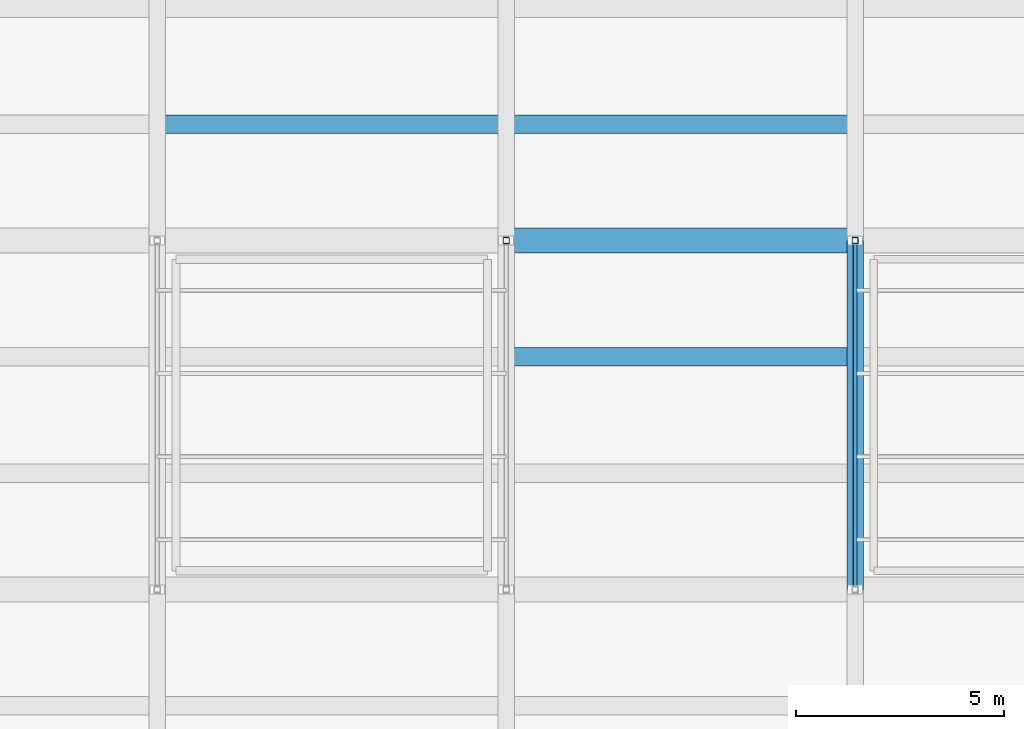
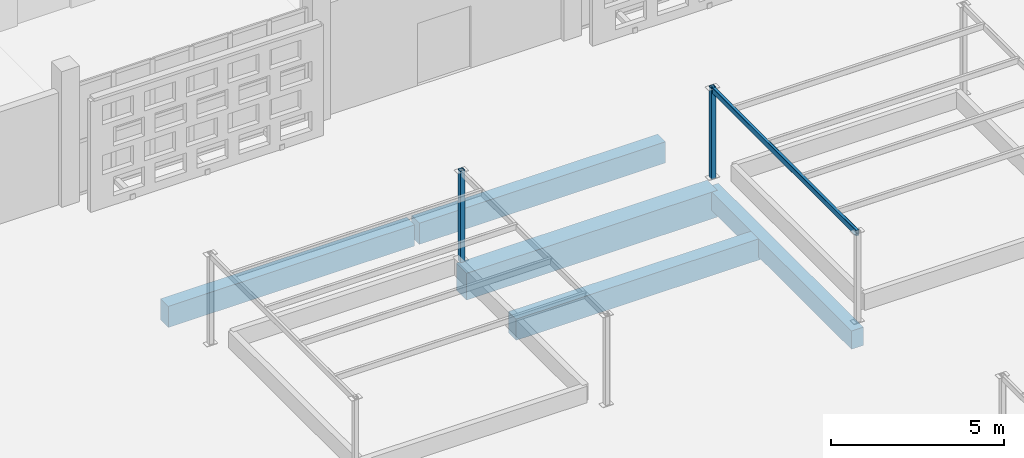
# One storey, part 31 of 129: 5 beams, 3 members.
"""IFC4 building model written with IfcOpenShell, lengths in metres."""

from ifc_helpers import new_model, si_unit, direction, frame, origin, origin_2d, place, context, subcontext, project, spatial, rectangle, hollow_rectangle, extrude, material, material_profile, profile_set, type_object, element, save


model = new_model("IFC4")

# Units and contexts
model_context = context("Model", 3, precision=1e-05, world=origin(), true_north=direction((0.0, 1.0)))
body_context = subcontext(model_context, "Body", "Model", "MODEL_VIEW")
ifc_project = project(units=[si_unit("LENGTHUNIT", "METRE"), si_unit("AREAUNIT", "SQUARE_METRE"), si_unit("VOLUMEUNIT", "CUBIC_METRE"), si_unit("PLANEANGLEUNIT", "RADIAN"), si_unit("MASSUNIT", "GRAM", prefix="KILO")], contexts=[model_context])

# Site, building, storey
site_placement = place(None, origin())
site = spatial("IfcSite", under=ifc_project, at=site_placement, CompositionType="ELEMENT")
building_placement = place(site_placement, origin())
building = spatial("IfcBuilding", under=site, at=building_placement, Name="Varnapada Polytechnic", CompositionType="ELEMENT")
storey_placement = place(building_placement, origin())
storey = spatial("IfcBuildingStorey", under=building, at=storey_placement, Name="L00", CompositionType="ELEMENT", Elevation=0.0)

# Beams
ifc_material_1 = material(Name="Concrete C40/50", Category="concrete")
ifc_material_profile_1 = material_profile(ifc_material_1, rectangle(XDim=0.449951171875, YDim=0.75, at=origin_2d()), Name="RC 450x750")
ifc_profile_set_1 = profile_set([ifc_material_profile_1], Name="Concrete C40/50")
beam_type_1 = type_object("IfcBeamType", Name="Basement/podium secondary beam BB-01 (RC 450x750)", PredefinedType="BEAM", material=ifc_profile_set_1)
beam_1_placement = place(storey_placement, frame((92.47998046875, 78.39990234375, -0.655029296875), z_axis=(1.0, 0.0, 0.0), x_axis=(0.0, 1.0, 0.0)))
element("IfcBeam", 1, at=beam_1_placement, inside=storey, type_object=beam_type_1, Name="L00 floor joist 12/10.1", PredefinedType="BEAM", context=body_context, shape_type="SweptSolid", body=[
    extrude(rectangle(XDim=0.449951171875, YDim=0.75, at=origin_2d()), origin(), (0.0, 0.0, 1.0), 8.239990234375),
])
for number, where, z_axis, x_axis, name in (
    (2, (100.8798828125, 72.800048828125, -0.655029296875), (1.0, 0.0, 0.0), (0.0, 1.0, 0.0), "L00 floor joist 13/9.2"),
    (3, (100.8798828125, 78.39990234375, -0.655029296875), (1.0, 0.0, 0.0), (0.0, 1.0, 0.0), "L00 floor joist 13/10.1"),
):
    element("IfcBeam", number, at=place(storey_placement, frame(where, z_axis=z_axis, x_axis=x_axis)), inside=storey, type_object=beam_type_1, Name=name, PredefinedType="BEAM", context=body_context, shape_type="SweptSolid", body=[
        extrude(rectangle(XDim=0.449951171875, YDim=0.75, at=origin_2d()), origin(), (0.0, 0.0, 1.0), 8.240234375),
    ])

# Member
ifc_material_2 = material(Name="Steel S355", Category="steel")
ifc_material_profile_2 = material_profile(ifc_material_2, hollow_rectangle(XDim=0.10009765625, YDim=0.199951171875, WallThickness=0.00634765625, InnerFilletRadius=0.006103515625, OuterFilletRadius=0.011962890625, at=origin_2d()), Name="RHS 200x100x6.3")
ifc_profile_set_2 = profile_set([ifc_material_profile_2], Name="Steel S355")
member_type_1 = type_object("IfcMemberType", Name="Gable and library roof steel purlin PR-01 (RHS 200x100x6.3)", PredefinedType="PURLIN", material=ifc_profile_set_2)
member_placement = place(storey_placement, frame((109.199951171875, 67.199951171875, 3.1201171875), z_axis=(0.0, 1.0, 0.0), x_axis=(-1.0, 0.0, 0.0)))
element("IfcMember", 4, at=member_placement, inside=storey, type_object=member_type_1, Name="Courtyard planted garden pergola girder CT-BED-6.1", PredefinedType="PURLIN", context=body_context, shape_type="SweptSolid", body=[
    extrude(hollow_rectangle(XDim=0.10009765625, YDim=0.199951171875, WallThickness=0.00634765625, InnerFilletRadius=0.006103515625, OuterFilletRadius=0.011962890625, at=origin_2d()), origin(), (0.0, 0.0, 1.0), 8.400146484375),
])

# Beam
ifc_material_profile_3 = material_profile(ifc_material_1, rectangle(XDim=0.39990234375, YDim=0.64990234375, at=origin_2d()), Name="RC 400x650")
ifc_profile_set_3 = profile_set([ifc_material_profile_3], Name="Concrete C40/50")
beam_type_2 = type_object("IfcBeamType", Name="Podium framing beam BB-02 (RC 400x650)", PredefinedType="BEAM", material=ifc_profile_set_3)
beam_2_placement = place(storey_placement, frame((109.199951171875, 67.199951171875, -0.60498046875), z_axis=(0.0, 1.0, 0.0), x_axis=(-1.0, 0.0, 0.0)))
element("IfcBeam", 5, at=beam_2_placement, inside=storey, type_object=beam_type_2, Name="L00 beam Y 9-10 at X14", PredefinedType="BEAM", context=body_context, shape_type="SweptSolid", body=[
    extrude(rectangle(XDim=0.39990234375, YDim=0.64990234375, at=origin_2d()), origin(), (0.0, 0.0, 1.0), 8.400146484375),
])

# Members
ifc_material_profile_4 = material_profile(ifc_material_2, hollow_rectangle(XDim=0.14990234375, YDim=0.14990234375, WallThickness=0.00634765625, InnerFilletRadius=0.006103515625, OuterFilletRadius=0.011962890625, at=origin_2d()), Name="SHS 150x150x6.3")
ifc_profile_set_4 = profile_set([ifc_material_profile_4], Name="Steel S355")
member_type_2 = type_object("IfcMemberType", Name="Sawtooth north-light mullion post SFP-02 (SHS 150x150x6.3)", PredefinedType="POST", material=ifc_profile_set_4)
for number, where, z_axis, x_axis, name in (
    (6, (100.800048828125, 75.60009765625, -0.02001953125), (0.0, 0.0, 1.0), (1.0, 0.0, 0.0), "Courtyard planted garden trellis post CT-BED-5.2.2"),
    (7, (109.199951171875, 75.60009765625, -0.02001953125), (0.0, 0.0, 1.0), (1.0, 0.0, 0.0), "Courtyard planted garden trellis post CT-BED-6.1.2"),
):
    element("IfcMember", number, at=place(storey_placement, frame(where, z_axis=z_axis, x_axis=x_axis)), inside=storey, type_object=member_type_2, Name=name, PredefinedType="POST", context=body_context, shape_type="SweptSolid", body=[
        extrude(hollow_rectangle(XDim=0.14990234375, YDim=0.14990234375, WallThickness=0.00634765625, InnerFilletRadius=0.006103515625, OuterFilletRadius=0.011962890625, at=origin_2d()), origin(), (0.0, 0.0, 1.0), 3.239990234375),
    ])

# Beam
ifc_material_profile_5 = material_profile(ifc_material_1, rectangle(XDim=0.60009765625, YDim=0.949951171875, at=origin_2d()), Name="RC 600x950")
ifc_profile_set_5 = profile_set([ifc_material_profile_5], Name="Concrete C40/50")
beam_type_3 = type_object("IfcBeamType", Name="Workshop podium heavy girder BG-03 (RC 600x950)", PredefinedType="T_BEAM", material=ifc_profile_set_5)
beam_3_placement = place(storey_placement, frame((100.800048828125, 75.60009765625, -0.7548828125), z_axis=(1.0, 0.0, 0.0), x_axis=(0.0, 1.0, 0.0)))
element("IfcBeam", 8, at=beam_3_placement, inside=storey, type_object=beam_type_3, Name="L00 beam X 13-14 at Y10", PredefinedType="T_BEAM", context=body_context, shape_type="SweptSolid", body=[
    extrude(rectangle(XDim=0.60009765625, YDim=0.949951171875, at=origin_2d()), origin(), (0.0, 0.0, 1.0), 8.39990234375),
])

save(model, "model.ifc")
